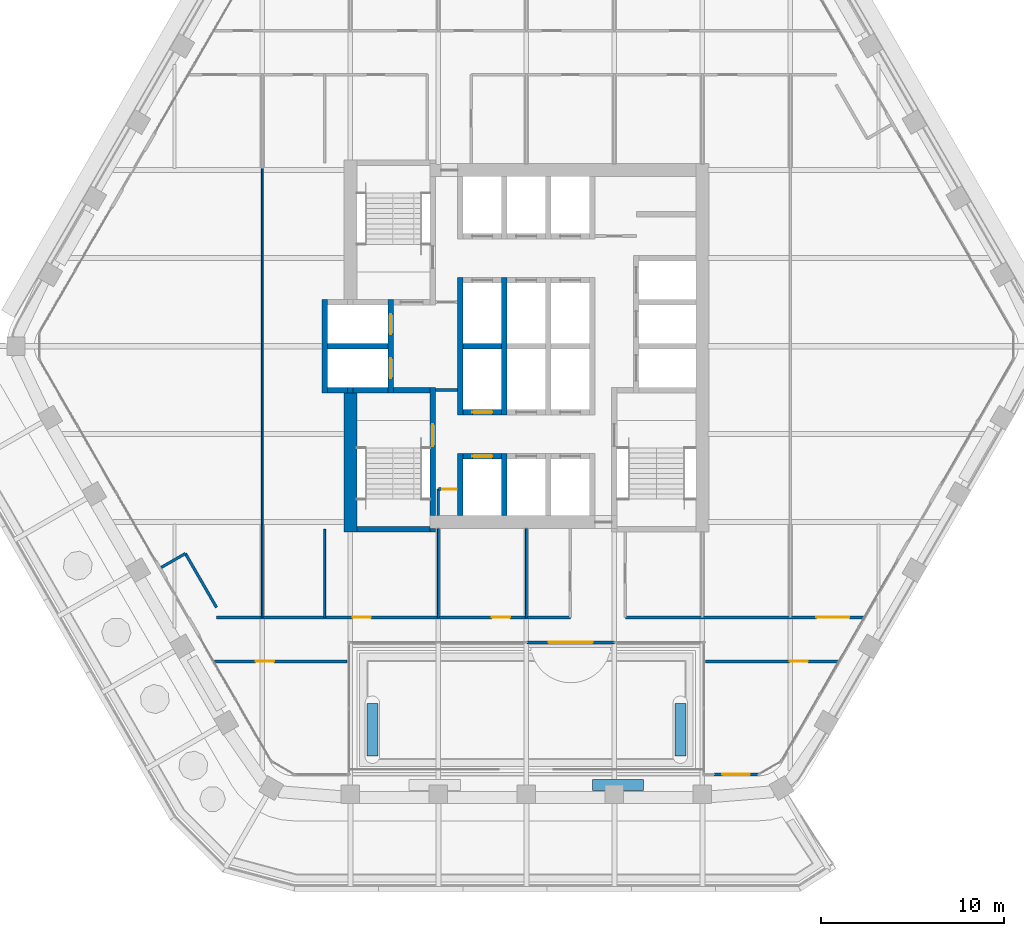
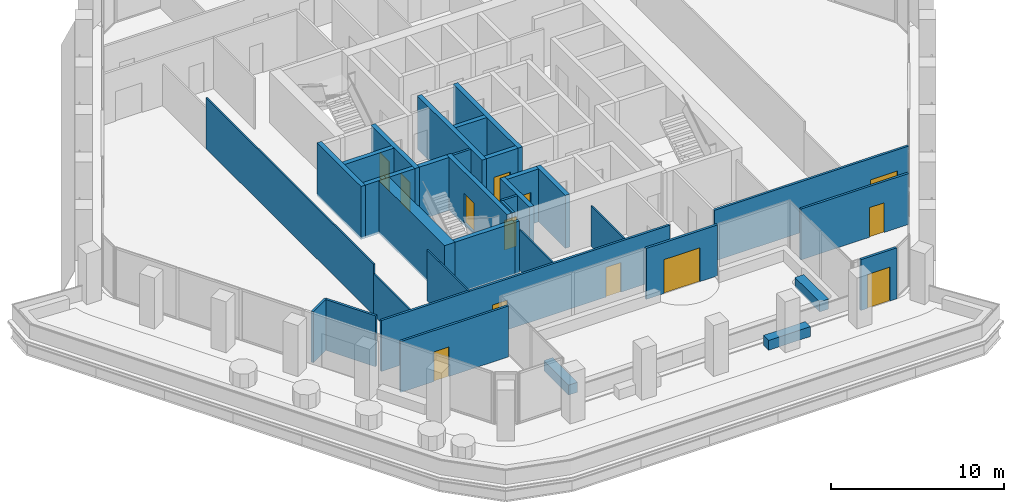
# One storey, part 12 of 18: 37 walls, 13 doors, 13 openings.
"""IFC4 building model written with IfcOpenShell, lengths in metres."""

from ifc_helpers import new_model, si_unit, direction, frame, frame_2d, origin, place, context, subcontext, project, spatial, rectangle, extrude, material, layer, layer_set, type_object, element, fill, save


model = new_model("IFC4")

# Units and contexts
model_context = context("Model", 3, precision=1e-05, world=origin(), true_north=direction((0.0, 1.0)))
body_context = subcontext(model_context, "Body", "Model", "MODEL_VIEW")
ifc_project = project(units=[si_unit("LENGTHUNIT", "METRE"), si_unit("AREAUNIT", "SQUARE_METRE"), si_unit("VOLUMEUNIT", "CUBIC_METRE"), si_unit("PLANEANGLEUNIT", "RADIAN"), si_unit("MASSUNIT", "GRAM", prefix="KILO")], contexts=[model_context])

# Site, building, storey
site_placement = place(None, origin())
site = spatial("IfcSite", under=ifc_project, at=site_placement, CompositionType="ELEMENT")
building_placement = place(site_placement, origin())
building = spatial("IfcBuilding", under=site, at=building_placement, Name="Kolab Exchange Tower", CompositionType="ELEMENT")
storey_placement = place(building_placement, frame((0.0, 0.0, 212.89990234375)))
storey = spatial("IfcBuildingStorey", under=building, at=storey_placement, Name="L46", CompositionType="ELEMENT", Elevation=212.89990234375)

# Wall
ifc_material_1 = material(Name="Concrete C60/75", Category="concrete")
ifc_layer_1 = layer(ifc_material_1, 0.699951171875)
ifc_layer_set_1 = layer_set([ifc_layer_1], Name="Concrete C60/75")
wall_type_1 = type_object("IfcWallType", Name="CORE WALL 700 C60/75", PredefinedType="SHEAR", material=ifc_layer_set_1)
wall_1_placement = place(storey_placement, frame((-9.60009765625, -10.14990234375, -0.14990234375), z_axis=(0.0, 0.0, 1.0), x_axis=(0.0, 1.0, 0.0)))
element("IfcWall", 1, at=wall_1_placement, inside=storey, type_object=wall_type_1, Name="wall/L46/core/034", PredefinedType="SHEAR", context=body_context, shape_type="SweptSolid", body=[
    extrude(rectangle(XDim=7.599853515625, YDim=0.699951171875, at=frame_2d((3.7998046875, 0.0))), origin(), (0.0, 0.0, 1.0), 3.75),
])

# Wall, opening, door
ifc_material_2 = material(Name="Aluminium EN AW-6063 T6", Category="aluminium")
ifc_layer_2 = layer(ifc_material_2, 0.159912109375)
ifc_layer_set_2 = layer_set([ifc_layer_2], Name="Aluminium EN AW-6063 T6")
wall_type_2 = type_object("IfcWallType", Name="DOOR SURROUND WALL 160 ALUMINIUM FRAMED", PredefinedType="PARTITIONING", material=ifc_layer_set_2)
wall_2_placement = place(storey_placement, frame((12.637939453125, -23.361572265625, 0.0), z_axis=(0.0, 0.0, 1.0), x_axis=(-1.0, 0.0, 0.0)))
wall_2 = element("IfcWall", 2, at=wall_2_placement, inside=storey, type_object=wall_type_2, Name="Door surround wall", PredefinedType="PARTITIONING", context=body_context, shape_type="SweptSolid", body=[
    extrude(rectangle(XDim=2.39990234375, YDim=0.159912109375, at=frame_2d((1.199951171875, 0.0))), origin(), (0.0, 0.0, 1.0), 3.60009765625),
])
opening_1_placement = place(wall_2_placement, frame((0.449951171875, 0.0, 0.0)))
opening_1 = element("IfcOpeningElement", 3, at=opening_1_placement, cuts=wall_2, Name="Opening GD2-010", PredefinedType="OPENING", context=body_context, shape_type="SweptSolid", body=[
    extrude(rectangle(XDim=1.5, YDim=2.39990234375, at=frame_2d((0.75, 1.199951171875))), frame((0.0, 0.08984375, 0.0), z_axis=(0.0, -1.0, 0.0), x_axis=(1.0, 0.0, 0.0)), (0.0, 0.0, 1.0), 0.179931640625),
])
door_type_1 = type_object("IfcDoorType", Name="LOGGIA SLIDING GLASS DOOR 1500 X 2400", OperationType="SLIDING_TO_LEFT", PredefinedType="DOOR", material=ifc_material_2)
door_1_placement = place(opening_1_placement, origin())
door_1 = element("IfcDoor", 4, at=door_1_placement, inside=storey, type_object=door_type_1, Name="Loggia door", OperationType="DOUBLE_DOOR_SLIDING", OverallHeight=2.39990234375, OverallWidth=1.5, PredefinedType="DOOR", context=body_context, shape_type="SweptSolid", body=[
    extrude(rectangle(XDim=1.5, YDim=2.39990234375, at=frame_2d((0.75, 1.199951171875))), frame((0.0, 0.02490234375, 0.0), z_axis=(0.0, -1.0, 0.0), x_axis=(1.0, 0.0, 0.0)), (0.0, 0.0, 1.0), 0.050048828125),
])
fill(opening_1, door_1)

wall_3_placement = place(storey_placement, frame((4.81005859375, -16.16162109375, 0.0), z_axis=(0.0, 0.0, 1.0), x_axis=(-1.0, 0.0, 0.0)))
wall_3 = element("IfcWall", 5, at=wall_3_placement, inside=storey, type_object=wall_type_2, Name="Door surround wall", PredefinedType="PARTITIONING", context=body_context, shape_type="SweptSolid", body=[
    extrude(rectangle(XDim=4.780029296875, YDim=0.159912109375, at=frame_2d((2.39013671875, 0.0))), origin(), (0.0, 0.0, 1.0), 3.60009765625),
])
opening_2_placement = place(wall_3_placement, frame((1.18994140625, 0.0, 0.0)))
opening_2 = element("IfcOpeningElement", 6, at=opening_2_placement, cuts=wall_3, Name="Opening GD1-085", PredefinedType="OPENING", context=body_context, shape_type="SweptSolid", body=[
    extrude(rectangle(XDim=2.39990234375, YDim=2.39990234375, at=frame_2d((1.199951171875, 1.199951171875))), frame((0.0, 0.08984375, 0.0), z_axis=(0.0, -1.0, 0.0), x_axis=(1.0, 0.0, 0.0)), (0.0, 0.0, 1.0), 0.179931640625),
])
door_type_2 = type_object("IfcDoorType", Name="LOGGIA SLIDING GLASS DOOR 2400 X 2400", OperationType="DOUBLE_DOOR_SINGLE_SWING", PredefinedType="DOOR", material=ifc_material_2)
door_2_placement = place(opening_2_placement, origin())
door_2 = element("IfcDoor", 7, at=door_2_placement, inside=storey, type_object=door_type_2, Name="Loggia door", OperationType="DOUBLE_DOOR_SLIDING", OverallHeight=2.39990234375, OverallWidth=2.39990234375, PredefinedType="DOOR", context=body_context, shape_type="SweptSolid", body=[
    extrude(rectangle(XDim=2.39990234375, YDim=2.39990234375, at=frame_2d((1.199951171875, 1.199951171875))), frame((0.0, 0.02490234375, 0.0), z_axis=(0.0, -1.0, 0.0), x_axis=(1.0, 0.0, 0.0)), (0.0, 0.0, 1.0), 0.050048828125),
])
fill(opening_2, door_2)

ifc_material_3 = material(Name="Concrete C50/60", Category="concrete")
ifc_layer_3 = layer(ifc_material_3, 0.300048828125)
ifc_layer_set_3 = layer_set([ifc_layer_3], Name="Concrete C50/60")
wall_type_3 = type_object("IfcWallType", Name="LIFT SHAFT WALL 300 C50/60", PredefinedType="STANDARD", material=ifc_layer_set_3)
wall_4_placement = place(storey_placement, frame((-3.449951171875, -6.0, -0.14990234375), z_axis=(0.0, 0.0, 1.0), x_axis=(1.0, 0.0, 0.0)))
wall_4 = element("IfcWall", 8, at=wall_4_placement, inside=storey, type_object=wall_type_3, Name="wall/L46/core/003", PredefinedType="STANDARD", context=body_context, shape_type="SweptSolid", body=[
    extrude(rectangle(XDim=2.099853515625, YDim=0.300048828125, at=frame_2d((1.0498046875, 0.0))), origin(), (0.0, 0.0, 1.0), 3.75),
])
opening_3_placement = place(wall_4_placement, frame((0.5, 0.0, 0.14990234375)))
opening_3 = element("IfcOpeningElement", 9, at=opening_3_placement, cuts=wall_4, Name="Opening LD1-122", PredefinedType="OPENING", context=body_context, shape_type="SweptSolid", body=[
    extrude(rectangle(XDim=1.10009765625, YDim=2.10009765625, at=frame_2d((0.550048828125, 1.050048828125))), frame((0.0, 0.16015625, 0.0), z_axis=(0.0, -1.0, 0.0), x_axis=(1.0, 0.0, 0.0)), (0.0, 0.0, 1.0), 0.320068359375),
])
ifc_material_4 = material(Name="Stainless steel 316", Category="steel")
door_type_3 = type_object("IfcDoorType", Name="LANDING DOOR 1100 PASSENGER", OperationType="DOUBLE_DOOR_SLIDING", PredefinedType="DOOR", material=ifc_material_4)
door_3_placement = place(opening_3_placement, origin())
door_3 = element("IfcDoor", 10, at=door_3_placement, inside=storey, type_object=door_type_3, Name="Landing door HR10", OperationType="DOUBLE_DOOR_SLIDING", OverallHeight=2.10009765625, OverallWidth=1.10009765625, PredefinedType="DOOR", context=body_context, shape_type="SweptSolid", body=[
    extrude(rectangle(XDim=1.10009765625, YDim=2.10009765625, at=frame_2d((0.550048828125, 1.050048828125))), frame((0.0, 0.02490234375, 0.0), z_axis=(0.0, -1.0, 0.0), x_axis=(1.0, 0.0, 0.0)), (0.0, 0.0, 1.0), 0.050048828125),
])
fill(opening_3, door_3)

wall_5_placement = place(storey_placement, frame((-3.449951171875, -3.60009765625, -0.14990234375), z_axis=(0.0, 0.0, 1.0), x_axis=(1.0, 0.0, 0.0)))
wall_5 = element("IfcWall", 11, at=wall_5_placement, inside=storey, type_object=wall_type_3, Name="wall/L46/core/006", PredefinedType="STANDARD", context=body_context, shape_type="SweptSolid", body=[
    extrude(rectangle(XDim=2.099853515625, YDim=0.300048828125, at=frame_2d((1.0498046875, 0.0))), origin(), (0.0, 0.0, 1.0), 3.75),
])
opening_4_placement = place(wall_5_placement, frame((0.5, 0.0, 0.14990234375)))
opening_4 = element("IfcOpeningElement", 12, at=opening_4_placement, cuts=wall_5, Name="Opening LD1-130", PredefinedType="OPENING", context=body_context, shape_type="SweptSolid", body=[
    extrude(rectangle(XDim=1.10009765625, YDim=2.10009765625, at=frame_2d((0.550048828125, 1.050048828125))), frame((0.0, 0.16015625, 0.0), z_axis=(0.0, -1.0, 0.0), x_axis=(1.0, 0.0, 0.0)), (0.0, 0.0, 1.0), 0.320068359375),
])
door_4_placement = place(opening_4_placement, origin())
door_4 = element("IfcDoor", 13, at=door_4_placement, inside=storey, type_object=door_type_3, Name="Landing door HR7", OperationType="DOUBLE_DOOR_SLIDING", OverallHeight=2.10009765625, OverallWidth=1.10009765625, PredefinedType="DOOR", context=body_context, shape_type="SweptSolid", body=[
    extrude(rectangle(XDim=1.10009765625, YDim=2.10009765625, at=frame_2d((0.550048828125, 1.050048828125))), frame((0.0, 0.02490234375, 0.0), z_axis=(0.0, -1.0, 0.0), x_axis=(1.0, 0.0, 0.0)), (0.0, 0.0, 1.0), 0.050048828125),
])
fill(opening_4, door_4)

# Walls
wall_6_placement = place(storey_placement, frame((-10.85009765625, -2.39990234375, -0.14990234375), z_axis=(0.0, 0.0, 1.0), x_axis=(1.0, 0.0, 0.0)))
element("IfcWall", 14, at=wall_6_placement, inside=storey, type_object=wall_type_3, Name="wall/L46/core/009", PredefinedType="STANDARD", context=body_context, shape_type="SweptSolid", body=[
    extrude(rectangle(XDim=1.10009765625, YDim=0.300048828125, at=frame_2d((0.550048828125, 0.0))), origin(), (0.0, 0.0, 1.0), 3.75),
])
wall_7_placement = place(storey_placement, frame((-10.85009765625, 0.0, -0.14990234375), z_axis=(0.0, 0.0, 1.0), x_axis=(1.0, 0.0, 0.0)))
element("IfcWall", 15, at=wall_7_placement, inside=storey, type_object=wall_type_3, Name="wall/L46/core/014", PredefinedType="STANDARD", context=body_context, shape_type="SweptSolid", body=[
    extrude(rectangle(XDim=3.300048828125, YDim=0.300048828125, at=frame_2d((1.64990234375, 0.0))), origin(), (0.0, 0.0, 1.0), 3.75),
])
wall_8_placement = place(storey_placement, frame((-3.449951171875, 0.0, -0.14990234375), z_axis=(0.0, 0.0, 1.0), x_axis=(1.0, 0.0, 0.0)))
element("IfcWall", 16, at=wall_8_placement, inside=storey, type_object=wall_type_3, Name="wall/L46/core/015", PredefinedType="STANDARD", context=body_context, shape_type="SweptSolid", body=[
    extrude(rectangle(XDim=2.099853515625, YDim=0.300048828125, at=frame_2d((1.0498046875, 0.0))), origin(), (0.0, 0.0, 1.0), 3.75),
])
wall_9_placement = place(storey_placement, frame((-11.0, -2.550048828125, -0.14990234375), z_axis=(0.0, 0.0, 1.0), x_axis=(0.0, 1.0, 0.0)))
element("IfcWall", 17, at=wall_9_placement, inside=storey, type_object=wall_type_3, Name="wall/L46/core/033", PredefinedType="STANDARD", context=body_context, shape_type="SweptSolid", body=[
    extrude(rectangle(XDim=5.10009765625, YDim=0.300048828125, at=frame_2d((2.550048828125, 0.0))), origin(), (0.0, 0.0, 1.0), 3.75),
])

# Wall, openings, doors
wall_10_placement = place(storey_placement, frame((-7.39990234375, -2.550048828125, -0.14990234375), z_axis=(0.0, 0.0, 1.0), x_axis=(0.0, 1.0, 0.0)))
wall_10 = element("IfcWall", 18, at=wall_10_placement, inside=storey, type_object=wall_type_3, Name="wall/L46/core/038", PredefinedType="STANDARD", context=body_context, shape_type="SweptSolid", body=[
    extrude(rectangle(XDim=5.10009765625, YDim=0.300048828125, at=frame_2d((2.550048828125, 0.0))), origin(), (0.0, 0.0, 1.0), 3.75),
])
opening_5_placement = place(wall_10_placement, frame((0.800048828125, 0.0, 0.14990234375)))
opening_5 = element("IfcOpeningElement", 19, at=opening_5_placement, cuts=wall_10, Name="Opening LD2-027", PredefinedType="OPENING", context=body_context, shape_type="SweptSolid", body=[
    extrude(rectangle(XDim=1.10009765625, YDim=2.10009765625, at=frame_2d((0.550048828125, 1.050048828125))), frame((0.0, 0.16015625, 0.0), z_axis=(0.0, -1.0, 0.0), x_axis=(1.0, 0.0, 0.0)), (0.0, 0.0, 1.0), 0.320068359375),
])
opening_6_placement = place(wall_10_placement, frame((3.199951171875, 0.0, 0.14990234375)))
opening_6 = element("IfcOpeningElement", 20, at=opening_6_placement, cuts=wall_10, Name="Opening LD2-028", PredefinedType="OPENING", context=body_context, shape_type="SweptSolid", body=[
    extrude(rectangle(XDim=1.10009765625, YDim=2.10009765625, at=frame_2d((0.550048828125, 1.050048828125))), frame((0.0, 0.16015625, 0.0), z_axis=(0.0, -1.0, 0.0), x_axis=(1.0, 0.0, 0.0)), (0.0, 0.0, 1.0), 0.320068359375),
])
door_type_4 = type_object("IfcDoorType", Name="LANDING DOOR 1100 FIREFIGHTING", OperationType="DOUBLE_DOOR_SLIDING", PredefinedType="DOOR", material=ifc_material_4)
door_5_placement = place(opening_5_placement, origin())
door_5 = element("IfcDoor", 21, at=door_5_placement, inside=storey, type_object=door_type_4, Name="Landing door FF1", OperationType="DOUBLE_DOOR_SLIDING", OverallHeight=2.10009765625, OverallWidth=1.10009765625, PredefinedType="DOOR", context=body_context, shape_type="SweptSolid", body=[
    extrude(rectangle(XDim=1.10009765625, YDim=2.10009765625, at=frame_2d((0.550048828125, 1.050048828125))), frame((0.0, 0.02490234375, 0.0), z_axis=(0.0, -1.0, 0.0), x_axis=(1.0, 0.0, 0.0)), (0.0, 0.0, 1.0), 0.050048828125),
])
fill(opening_5, door_5)
door_6_placement = place(opening_6_placement, origin())
door_6 = element("IfcDoor", 22, at=door_6_placement, inside=storey, type_object=door_type_4, Name="Landing door FF2", OperationType="DOUBLE_DOOR_SLIDING", OverallHeight=2.10009765625, OverallWidth=1.10009765625, PredefinedType="DOOR", context=body_context, shape_type="SweptSolid", body=[
    extrude(rectangle(XDim=1.10009765625, YDim=2.10009765625, at=frame_2d((0.550048828125, 1.050048828125))), frame((0.0, 0.02490234375, 0.0), z_axis=(0.0, -1.0, 0.0), x_axis=(1.0, 0.0, 0.0)), (0.0, 0.0, 1.0), 0.050048828125),
])
fill(opening_6, door_6)

# Walls
wall_11_placement = place(storey_placement, frame((-3.60009765625, -9.25, -0.14990234375), z_axis=(0.0, 0.0, 1.0), x_axis=(0.0, 1.0, 0.0)))
element("IfcWall", 23, at=wall_11_placement, inside=storey, type_object=wall_type_3, Name="wall/L46/core/043", PredefinedType="STANDARD", context=body_context, shape_type="SweptSolid", body=[
    extrude(rectangle(XDim=3.39990234375, YDim=0.300048828125, at=frame_2d((1.699951171875, 0.0))), origin(), (0.0, 0.0, 1.0), 3.75),
])
wall_12_placement = place(storey_placement, frame((-3.60009765625, -3.75, -0.14990234375), z_axis=(0.0, 0.0, 1.0), x_axis=(0.0, 1.0, 0.0)))
element("IfcWall", 24, at=wall_12_placement, inside=storey, type_object=wall_type_3, Name="wall/L46/core/044", PredefinedType="STANDARD", context=body_context, shape_type="SweptSolid", body=[
    extrude(rectangle(XDim=7.5, YDim=0.300048828125, at=frame_2d((3.75, 0.0))), origin(), (0.0, 0.0, 1.0), 3.75),
])
wall_13_placement = place(storey_placement, frame((-1.199951171875, -9.25, -0.14990234375), z_axis=(0.0, 0.0, 1.0), x_axis=(0.0, 1.0, 0.0)))
element("IfcWall", 25, at=wall_13_placement, inside=storey, type_object=wall_type_3, Name="wall/L46/core/046", PredefinedType="STANDARD", context=body_context, shape_type="SweptSolid", body=[
    extrude(rectangle(XDim=3.39990234375, YDim=0.300048828125, at=frame_2d((1.699951171875, 0.0))), origin(), (0.0, 0.0, 1.0), 3.75),
])
wall_14_placement = place(storey_placement, frame((-1.199951171875, -3.75, -0.14990234375), z_axis=(0.0, 0.0, 1.0), x_axis=(0.0, 1.0, 0.0)))
element("IfcWall", 26, at=wall_14_placement, inside=storey, type_object=wall_type_3, Name="wall/L46/core/047", PredefinedType="STANDARD", context=body_context, shape_type="SweptSolid", body=[
    extrude(rectangle(XDim=7.5, YDim=0.300048828125, at=frame_2d((3.75, 0.0))), origin(), (0.0, 0.0, 1.0), 3.75),
])
ifc_material_5 = material(Name="Gypsum board", Category="gypsum")
ifc_layer_4 = layer(ifc_material_5, 0.10009765625)
ifc_layer_set_4 = layer_set([ifc_layer_4], Name="Gypsum board")
wall_type_4 = type_object("IfcWallType", Name="PARTITION 100", PredefinedType="PARTITIONING", material=ifc_layer_set_4)
for number, where, z_axis, x_axis, name in (
    (27, (0.0, -14.800048828125, 0.0), (0.0, 0.0, 1.0), (0.0, 1.0, 0.0), "Partition 007"),
    (28, (-4.800048828125, -14.800048828125, 0.0), (0.0, 0.0, 1.0), (0.0, 1.0, 0.0), "Partition 011"),
):
    element("IfcWall", number, at=place(storey_placement, frame(where, z_axis=z_axis, x_axis=x_axis)), inside=storey, type_object=wall_type_4, Name=name, PredefinedType="PARTITIONING", context=body_context, shape_type="SweptSolid", body=[
        extrude(rectangle(XDim=4.85009765625, YDim=0.10009765625, at=frame_2d((2.425048828125, 0.0))), origin(), (0.0, 0.0, 1.0), 2.838134765625),
    ])
wall_15_placement = place(storey_placement, frame((-11.0, -14.800048828125, 0.0), z_axis=(0.0, 0.0, 1.0), x_axis=(0.0, 1.0, 0.0)))
element("IfcWall", 29, at=wall_15_placement, inside=storey, type_object=wall_type_4, Name="Partition 016", PredefinedType="PARTITIONING", context=body_context, shape_type="SweptSolid", body=[
    extrude(rectangle(XDim=4.800048828125, YDim=0.10009765625, at=frame_2d((2.39990234375, 0.0))), origin(), (0.0, 0.0, 1.0), 3.60009765625),
])
wall_16_placement = place(storey_placement, frame((-14.39990234375, -9.7060546875, 0.0), z_axis=(0.0, 0.0, 1.0), x_axis=(0.0, 1.0, 0.0)))
element("IfcWall", 30, at=wall_16_placement, inside=storey, type_object=wall_type_4, Name="Partition 018", PredefinedType="PARTITIONING", context=body_context, shape_type="SweptSolid", body=[
    extrude(rectangle(XDim=19.412109375, YDim=0.10009765625, at=frame_2d((9.7060546875, 0.0))), origin(), (0.0, 0.0, 1.0), 3.60009765625),
])
wall_17_placement = place(storey_placement, frame((-14.39990234375, -14.800048828125, 0.0), z_axis=(0.0, 0.0, 1.0), x_axis=(0.0, 1.0, 0.0)))
element("IfcWall", 31, at=wall_17_placement, inside=storey, type_object=wall_type_4, Name="Partition 018", PredefinedType="PARTITIONING", context=body_context, shape_type="SweptSolid", body=[
    extrude(rectangle(XDim=5.093994140625, YDim=0.10009765625, at=frame_2d((2.546875, 0.0))), origin(), (0.0, 0.0, 1.0), 2.916015625),
])
ifc_layer_5 = layer(ifc_material_5, 0.14990234375)
ifc_layer_set_5 = layer_set([ifc_layer_5], Name="Gypsum board")
wall_type_5 = type_object("IfcWallType", Name="PARTITION 150 FIRE-RATED", PredefinedType="PARTITIONING", material=ifc_layer_set_5)
wall_18_placement = place(storey_placement, frame((-4.800048828125, -9.25, 0.0), z_axis=(0.0, 0.0, 1.0), x_axis=(0.0, 1.0, 0.0)))
element("IfcWall", 32, at=wall_18_placement, inside=storey, type_object=wall_type_5, Name="Partition 013", PredefinedType="PARTITIONING", context=body_context, shape_type="SweptSolid", body=[
    extrude(rectangle(XDim=1.449951171875, YDim=0.14990234375, at=frame_2d((0.72509765625, 0.0))), origin(), (0.0, 0.0, 1.0), 3.60009765625),
])
wall_19_placement = place(storey_placement, frame((-18.595947265625, -11.313720703125, 0.0), z_axis=(0.0, 0.0, 1.0), x_axis=(0.499977295307, -0.866038511948, 0.0)))
element("IfcWall", 33, at=wall_19_placement, inside=storey, type_object=wall_type_5, Name="Partition 019", PredefinedType="PARTITIONING", context=body_context, shape_type="SweptSolid", body=[
    extrude(rectangle(XDim=3.400146484375, YDim=0.14990234375, at=frame_2d((1.7001953125, 0.0))), origin(), (0.0, 0.0, 1.0), 3.60009765625),
])
wall_20_placement = place(storey_placement, frame((-19.912353515625, -12.07373046875, 0.0), z_axis=(0.0, 0.0, 1.0), x_axis=(0.866030456496, 0.499991248344, 0.0)))
element("IfcWall", 34, at=wall_20_placement, inside=storey, type_object=wall_type_5, Name="Partition 021", PredefinedType="PARTITIONING", context=body_context, shape_type="SweptSolid", body=[
    extrude(rectangle(XDim=1.52001953125, YDim=0.14990234375, at=frame_2d((0.760009765625, 0.0))), origin(), (0.0, 0.0, 1.0), 3.60009765625),
])

# Wall, opening, door
wall_21_placement = place(storey_placement, frame((-16.9990234375, -17.199951171875, 0.0), z_axis=(0.0, 0.0, 1.0), x_axis=(1.0, 0.0, 0.0)))
wall_21 = element("IfcWall", 35, at=wall_21_placement, inside=storey, type_object=wall_type_5, Name="Partition 023", PredefinedType="PARTITIONING", context=body_context, shape_type="SweptSolid", body=[
    extrude(rectangle(XDim=7.22900390625, YDim=0.14990234375, at=frame_2d((3.614501953125, 0.0))), origin(), (0.0, 0.0, 1.0), 3.60009765625),
])
opening_7_placement = place(wall_21_placement, frame((2.239501953125, 0.0, 0.0)))
opening_7 = element("IfcOpeningElement", 36, at=opening_7_placement, cuts=wall_21, Name="Opening D1-601", PredefinedType="OPENING", context=body_context, shape_type="SweptSolid", body=[
    extrude(rectangle(XDim=1.0, YDim=2.10009765625, at=frame_2d((0.5, 1.050048828125))), frame((0.0, 0.0849609375, 0.0), z_axis=(0.0, -1.0, 0.0), x_axis=(1.0, 0.0, 0.0)), (0.0, 0.0, 1.0), 0.169921875),
])
ifc_material_6 = material(Name="Steel S235", Category="steel")
door_type_5 = type_object("IfcDoorType", Name="FLUSH DOOR 1000 FD60", OperationType="SINGLE_SWING_LEFT", PredefinedType="DOOR", material=ifc_material_6)
door_7_placement = place(opening_7_placement, frame((1.0, 0.0, 0.0), z_axis=(0.0, 0.0, 1.0), x_axis=(-1.0, 0.0, 0.0)))
door_7 = element("IfcDoor", 37, at=door_7_placement, inside=storey, type_object=door_type_5, Name="Door L46-044", OperationType="SINGLE_SWING_LEFT", OverallHeight=2.10009765625, OverallWidth=1.0, PredefinedType="DOOR", context=body_context, shape_type="SweptSolid", body=[
    extrude(rectangle(XDim=1.0, YDim=2.10009765625, at=frame_2d((0.5, 1.050048828125))), frame((0.0, 0.02490234375, 0.0), z_axis=(0.0, -1.0, 0.0), x_axis=(1.0, 0.0, 0.0)), (0.0, 0.0, 1.0), 0.050048828125),
])
fill(opening_7, door_7)

wall_22_placement = place(storey_placement, frame((9.77001953125, -17.199951171875, 0.0), z_axis=(0.0, 0.0, 1.0), x_axis=(1.0, 0.0, 0.0)))
wall_22 = element("IfcWall", 38, at=wall_22_placement, inside=storey, type_object=wall_type_5, Name="Partition 024", PredefinedType="PARTITIONING", context=body_context, shape_type="SweptSolid", body=[
    extrude(rectangle(XDim=7.22900390625, YDim=0.14990234375, at=frame_2d((3.614501953125, 0.0))), origin(), (0.0, 0.0, 1.0), 3.60009765625),
])
opening_8_placement = place(wall_22_placement, frame((4.5830078125, 0.0, 0.0)))
opening_8 = element("IfcOpeningElement", 39, at=opening_8_placement, cuts=wall_22, Name="Opening D1-602", PredefinedType="OPENING", context=body_context, shape_type="SweptSolid", body=[
    extrude(rectangle(XDim=1.0, YDim=2.10009765625, at=frame_2d((0.5, 1.050048828125))), frame((0.0, 0.0849609375, 0.0), z_axis=(0.0, -1.0, 0.0), x_axis=(1.0, 0.0, 0.0)), (0.0, 0.0, 1.0), 0.169921875),
])
door_8_placement = place(opening_8_placement, frame((1.0, 0.0, 0.0), z_axis=(0.0, 0.0, 1.0), x_axis=(-1.0, 0.0, 0.0)))
door_8 = element("IfcDoor", 40, at=door_8_placement, inside=storey, type_object=door_type_5, Name="Door L46-045", OperationType="SINGLE_SWING_RIGHT", OverallHeight=2.10009765625, OverallWidth=1.0, PredefinedType="DOOR", context=body_context, shape_type="SweptSolid", body=[
    extrude(rectangle(XDim=1.0, YDim=2.10009765625, at=frame_2d((0.5, 1.050048828125))), frame((0.0, 0.02490234375, 0.0), z_axis=(0.0, -1.0, 0.0), x_axis=(1.0, 0.0, 0.0)), (0.0, 0.0, 1.0), 0.050048828125),
])
fill(opening_8, door_8)

# Wall, openings, doors
wall_23_placement = place(storey_placement, frame((-16.9052734375, -14.800048828125, 0.0), z_axis=(0.0, 0.0, 1.0), x_axis=(1.0, 0.0, 0.0)))
wall_23 = element("IfcWall", 41, at=wall_23_placement, inside=storey, type_object=wall_type_5, Name="Partition 025", PredefinedType="PARTITIONING", context=body_context, shape_type="SweptSolid", body=[
    extrude(rectangle(XDim=19.30517578125, YDim=0.14990234375, at=frame_2d((9.652587890625, 0.0))), origin(), (0.0, 0.0, 1.0), 3.60009765625),
])
opening_9_placement = place(wall_23_placement, frame((7.43017578125, 0.0, 0.0)))
opening_9 = element("IfcOpeningElement", 42, at=opening_9_placement, cuts=wall_23, Name="Opening D1-593", PredefinedType="OPENING", context=body_context, shape_type="SweptSolid", body=[
    extrude(rectangle(XDim=1.0, YDim=2.10009765625, at=frame_2d((0.5, 1.050048828125))), frame((0.0, 0.0849609375, 0.0), z_axis=(0.0, -1.0, 0.0), x_axis=(1.0, 0.0, 0.0)), (0.0, 0.0, 1.0), 0.169921875),
])
opening_10_placement = place(wall_23_placement, frame((15.020263671875, 0.0, 0.0)))
opening_10 = element("IfcOpeningElement", 43, at=opening_10_placement, cuts=wall_23, Name="Opening D1-594", PredefinedType="OPENING", context=body_context, shape_type="SweptSolid", body=[
    extrude(rectangle(XDim=1.0, YDim=2.10009765625, at=frame_2d((0.5, 1.050048828125))), frame((0.0, 0.0849609375, 0.0), z_axis=(0.0, -1.0, 0.0), x_axis=(1.0, 0.0, 0.0)), (0.0, 0.0, 1.0), 0.169921875),
])
door_9_placement = place(opening_9_placement, origin())
door_9 = element("IfcDoor", 44, at=door_9_placement, inside=storey, type_object=door_type_5, Name="Door L46-036", OperationType="SINGLE_SWING_LEFT", OverallHeight=2.10009765625, OverallWidth=1.0, PredefinedType="DOOR", context=body_context, shape_type="SweptSolid", body=[
    extrude(rectangle(XDim=1.0, YDim=2.10009765625, at=frame_2d((0.5, 1.050048828125))), frame((0.0, 0.02490234375, 0.0), z_axis=(0.0, -1.0, 0.0), x_axis=(1.0, 0.0, 0.0)), (0.0, 0.0, 1.0), 0.050048828125),
])
fill(opening_9, door_9)
door_10_placement = place(opening_10_placement, origin())
door_10 = element("IfcDoor", 45, at=door_10_placement, inside=storey, type_object=door_type_5, Name="Door L46-037", OperationType="SINGLE_SWING_RIGHT", OverallHeight=2.10009765625, OverallWidth=1.0, PredefinedType="DOOR", context=body_context, shape_type="SweptSolid", body=[
    extrude(rectangle(XDim=1.0, YDim=2.10009765625, at=frame_2d((0.5, 1.050048828125))), frame((0.0, 0.02490234375, 0.0), z_axis=(0.0, -1.0, 0.0), x_axis=(1.0, 0.0, 0.0)), (0.0, 0.0, 1.0), 0.050048828125),
])
fill(opening_10, door_10)

# Wall, opening, door
wall_24_placement = place(storey_placement, frame((5.39990234375, -14.800048828125, 0.0), z_axis=(0.0, 0.0, 1.0), x_axis=(1.0, 0.0, 0.0)))
wall_24 = element("IfcWall", 46, at=wall_24_placement, inside=storey, type_object=wall_type_5, Name="Partition 026", PredefinedType="PARTITIONING", context=body_context, shape_type="SweptSolid", body=[
    extrude(rectangle(XDim=12.984619140625, YDim=0.14990234375, at=frame_2d((6.4921875, 0.0))), origin(), (0.0, 0.0, 1.0), 3.60009765625),
])
opening_11_placement = place(wall_24_placement, frame((10.420166015625, 0.0, 0.0)))
opening_11 = element("IfcOpeningElement", 47, at=opening_11_placement, cuts=wall_24, Name="Opening D2-061", PredefinedType="OPENING", context=body_context, shape_type="SweptSolid", body=[
    extrude(rectangle(XDim=1.800048828125, YDim=2.10009765625, at=frame_2d((0.89990234375, 1.050048828125))), frame((0.0, 0.0849609375, 0.0), z_axis=(0.0, -1.0, 0.0), x_axis=(1.0, 0.0, 0.0)), (0.0, 0.0, 1.0), 0.169921875),
])
door_type_6 = type_object("IfcDoorType", Name="DOUBLE DOOR 1800 FD60", OperationType="DOUBLE_DOOR_SINGLE_SWING", PredefinedType="DOOR", material=ifc_material_6)
door_11_placement = place(opening_11_placement, origin())
door_11 = element("IfcDoor", 48, at=door_11_placement, inside=storey, type_object=door_type_6, Name="Door L46-047", OperationType="SINGLE_SWING_RIGHT", OverallHeight=2.10009765625, OverallWidth=1.800048828125, PredefinedType="DOOR", context=body_context, shape_type="SweptSolid", body=[
    extrude(rectangle(XDim=1.800048828125, YDim=2.10009765625, at=frame_2d((0.89990234375, 1.050048828125))), frame((0.0, 0.02490234375, 0.0), z_axis=(0.0, -1.0, 0.0), x_axis=(1.0, 0.0, 0.0)), (0.0, 0.0, 1.0), 0.050048828125),
])
fill(opening_11, door_11)

wall_25_placement = place(storey_placement, frame((-4.800048828125, -7.800048828125, 0.0), z_axis=(0.0, 0.0, 1.0), x_axis=(1.0, 0.0, 0.0)))
wall_25 = element("IfcWall", 49, at=wall_25_placement, inside=storey, type_object=wall_type_5, Name="Partition 027", PredefinedType="PARTITIONING", context=body_context, shape_type="SweptSolid", body=[
    extrude(rectangle(XDim=1.050048828125, YDim=0.14990234375, at=frame_2d((0.52490234375, 0.0))), origin(), (0.0, 0.0, 1.0), 3.60009765625),
])
opening_12_placement = place(wall_25_placement, frame((0.199951171875, 0.0, 0.0)))
opening_12 = element("IfcOpeningElement", 50, at=opening_12_placement, cuts=wall_25, Name="Opening D7-038", PredefinedType="OPENING", context=body_context, shape_type="SweptSolid", body=[
    extrude(rectangle(XDim=0.800048828125, YDim=2.10009765625, at=frame_2d((0.39990234375, 1.050048828125))), frame((0.0, 0.0849609375, 0.0), z_axis=(0.0, -1.0, 0.0), x_axis=(1.0, 0.0, 0.0)), (0.0, 0.0, 1.0), 0.169921875),
])
door_type_7 = type_object("IfcDoorType", Name="FLUSH DOOR 800 FD60", OperationType="SINGLE_SWING_LEFT", PredefinedType="DOOR", material=ifc_material_6)
door_12_placement = place(opening_12_placement, frame((0.800048828125, 0.0, 0.0), z_axis=(0.0, 0.0, 1.0), x_axis=(-1.0, 0.0, 0.0)))
door_12 = element("IfcDoor", 51, at=door_12_placement, inside=storey, type_object=door_type_7, Name="Door L46-024", OperationType="SINGLE_SWING_RIGHT", OverallHeight=2.10009765625, OverallWidth=0.800048828125, PredefinedType="DOOR", context=body_context, shape_type="SweptSolid", body=[
    extrude(rectangle(XDim=0.800048828125, YDim=2.10009765625, at=frame_2d((0.39990234375, 1.050048828125))), frame((0.0, 0.02490234375, 0.0), z_axis=(0.0, -1.0, 0.0), x_axis=(1.0, 0.0, 0.0)), (0.0, 0.0, 1.0), 0.050048828125),
])
fill(opening_12, door_12)

# Walls
wall_26_placement = place(storey_placement, frame((-4.949951171875, -2.39990234375, 0.0), z_axis=(0.0, 0.0, 1.0), x_axis=(1.0, 0.0, 0.0)))
element("IfcWall", 52, at=wall_26_placement, inside=storey, type_object=wall_type_5, Name="Fire partition", PredefinedType="PARTITIONING", context=body_context, shape_type="SweptSolid", body=[
    extrude(rectangle(XDim=1.199951171875, YDim=0.14990234375, at=frame_2d((0.60009765625, 0.0))), origin(), (0.0, 0.0, 1.0), 3.60009765625),
])
ifc_material_7 = material(Name="Granite facing", Category="masonry")
ifc_layer_6 = layer(ifc_material_7, 0.0400390625)
ifc_material_8 = material(Name="Concrete C40/50 precast", Category="concrete")
ifc_layer_7 = layer(ifc_material_8, 0.56005859375)
ifc_layer_set_6 = layer_set([ifc_layer_6, ifc_layer_7], Name="Concrete C40/50 precast")
wall_type_6 = type_object("IfcWallType", Name="PLANTER BOX 600 X 700 SOIL DEPTH 550", PredefinedType="USERDEFINED", material=ifc_layer_set_6)
for number, where, z_axis, x_axis, name in (
    (53, (8.39990234375, -19.4814453125, 0.0), (0.0, 0.0, 1.0), (0.0, -1.0, 0.0), "Planter"),
    (54, (-8.39990234375, -19.4814453125, 0.0), (0.0, 0.0, 1.0), (0.0, -1.0, 0.0), "Planter"),
):
    element("IfcWall", number, at=place(storey_placement, frame(where, z_axis=z_axis, x_axis=x_axis)), inside=storey, type_object=wall_type_6, Name=name, ObjectType="PLANTER", PredefinedType="USERDEFINED", context=body_context, shape_type="SweptSolid", body=[
        extrude(rectangle(XDim=2.880126953125, YDim=0.60009765625, at=frame_2d((1.43994140625, 0.0))), origin(), (0.0, 0.0, 1.0), 0.7001953125),
    ])
wall_27_placement = place(storey_placement, frame((3.60009765625, -23.941650390625, 0.0), z_axis=(0.0, 0.0, 1.0), x_axis=(1.0, 0.0, 0.0)))
element("IfcWall", 55, at=wall_27_placement, inside=storey, type_object=wall_type_6, Name="Planter", ObjectType="PLANTER", PredefinedType="USERDEFINED", context=body_context, shape_type="SweptSolid", body=[
    extrude(rectangle(XDim=2.7998046875, YDim=0.60009765625, at=frame_2d((1.39990234375, 0.0))), origin(), (0.0, 0.0, 1.0), 0.7001953125),
])
ifc_layer_8 = layer(ifc_material_3, 0.300048828125)
ifc_layer_set_7 = layer_set([ifc_layer_8], Name="Concrete C50/60")
wall_type_7 = type_object("IfcWallType", Name="STAIR ENCLOSURE WALL 300 C50/60", PredefinedType="STANDARD", material=ifc_layer_set_7)
wall_28_placement = place(storey_placement, frame((-9.25, -10.0, -0.14990234375), z_axis=(0.0, 0.0, 1.0), x_axis=(1.0, 0.0, 0.0)))
element("IfcWall", 56, at=wall_28_placement, inside=storey, type_object=wall_type_7, Name="wall/L46/core/000", PredefinedType="STANDARD", context=body_context, shape_type="SweptSolid", body=[
    extrude(rectangle(XDim=4.0, YDim=0.300048828125, at=frame_2d((2.0, 0.0))), origin(), (0.0, 0.0, 1.0), 3.75),
])
wall_29_placement = place(storey_placement, frame((-9.449951171875, -2.39990234375, -0.14990234375), z_axis=(0.0, 0.0, 1.0), x_axis=(1.0, 0.0, 0.0)))
element("IfcWall", 57, at=wall_29_placement, inside=storey, type_object=wall_type_7, Name="wall/L46/core/010", PredefinedType="STANDARD", context=body_context, shape_type="SweptSolid", body=[
    extrude(rectangle(XDim=1.89990234375, YDim=0.300048828125, at=frame_2d((0.949951171875, 0.0))), origin(), (0.0, 0.0, 1.0), 3.75),
])
wall_30_placement = place(storey_placement, frame((-7.25, -2.39990234375, -0.14990234375), z_axis=(0.0, 0.0, 1.0), x_axis=(1.0, 0.0, 0.0)))
element("IfcWall", 58, at=wall_30_placement, inside=storey, type_object=wall_type_7, Name="wall/L46/core/011", PredefinedType="STANDARD", context=body_context, shape_type="SweptSolid", body=[
    extrude(rectangle(XDim=2.0, YDim=0.300048828125, at=frame_2d((1.0, 0.0))), origin(), (0.0, 0.0, 1.0), 3.75),
])
wall_31_placement = place(storey_placement, frame((-9.60009765625, -2.550048828125, -0.14990234375), z_axis=(0.0, 0.0, 1.0), x_axis=(0.0, 1.0, 0.0)))
element("IfcWall", 59, at=wall_31_placement, inside=storey, type_object=wall_type_7, Name="wall/L46/core/035", PredefinedType="STANDARD", context=body_context, shape_type="SweptSolid", body=[
    extrude(rectangle(XDim=0.300048828125, YDim=0.300048828125, at=frame_2d((0.14990234375, 0.0))), origin(), (0.0, 0.0, 1.0), 3.75),
])
wall_32_placement = place(storey_placement, frame((-5.10009765625, -10.14990234375, -0.14990234375), z_axis=(0.0, 0.0, 1.0), x_axis=(0.0, 1.0, 0.0)))
element("IfcWall", 60, at=wall_32_placement, inside=storey, type_object=wall_type_7, Name="wall/L46/core/039", PredefinedType="STANDARD", context=body_context, shape_type="SweptSolid", body=[
    extrude(rectangle(XDim=0.199951171875, YDim=0.300048828125, at=frame_2d((0.10009765625, 0.0))), origin(), (0.0, 0.0, 1.0), 3.75),
])

# Wall, opening, door
wall_33_placement = place(storey_placement, frame((-5.10009765625, -9.25, -0.14990234375), z_axis=(0.0, 0.0, 1.0), x_axis=(0.0, 1.0, 0.0)))
wall_33 = element("IfcWall", 61, at=wall_33_placement, inside=storey, type_object=wall_type_7, Name="wall/L46/core/040", PredefinedType="STANDARD", context=body_context, shape_type="SweptSolid", body=[
    extrude(rectangle(XDim=7.0, YDim=0.300048828125, at=frame_2d((3.5, 0.0))), origin(), (0.0, 0.0, 1.0), 3.75),
])
opening_13_placement = place(wall_33_placement, frame((3.800048828125, 0.0, 0.14990234375)))
opening_13 = element("IfcOpeningElement", 62, at=opening_13_placement, cuts=wall_33, Name="Opening D4-072", PredefinedType="OPENING", context=body_context, shape_type="SweptSolid", body=[
    extrude(rectangle(XDim=1.199951171875, YDim=2.10009765625, at=frame_2d((0.60009765625, 1.050048828125))), frame((0.0, 0.16015625, 0.0), z_axis=(0.0, -1.0, 0.0), x_axis=(1.0, 0.0, 0.0)), (0.0, 0.0, 1.0), 0.320068359375),
])
door_type_8 = type_object("IfcDoorType", Name="STAIR DOOR 1200 EI 120", OperationType="SINGLE_SWING_LEFT", PredefinedType="DOOR", material=ifc_material_6)
door_13_placement = place(opening_13_placement, origin())
door_13 = element("IfcDoor", 63, at=door_13_placement, inside=storey, type_object=door_type_8, Name="Stair 3 door", OperationType="SINGLE_SWING_RIGHT", OverallHeight=2.10009765625, OverallWidth=1.199951171875, PredefinedType="DOOR", context=body_context, shape_type="SweptSolid", body=[
    extrude(rectangle(XDim=1.199951171875, YDim=2.10009765625, at=frame_2d((0.60009765625, 1.050048828125))), frame((0.0, 0.02490234375, 0.0), z_axis=(0.0, -1.0, 0.0), x_axis=(1.0, 0.0, 0.0)), (0.0, 0.0, 1.0), 0.050048828125),
])
fill(opening_13, door_13)

save(model, "model.ifc")
